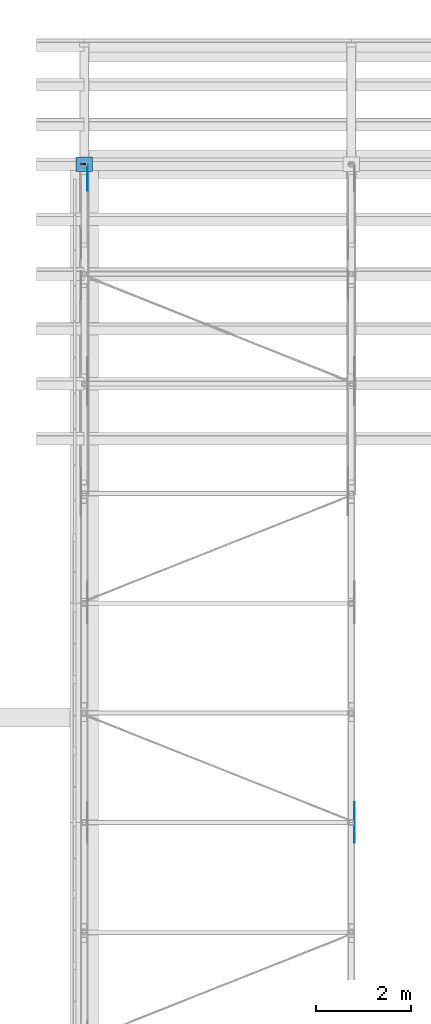
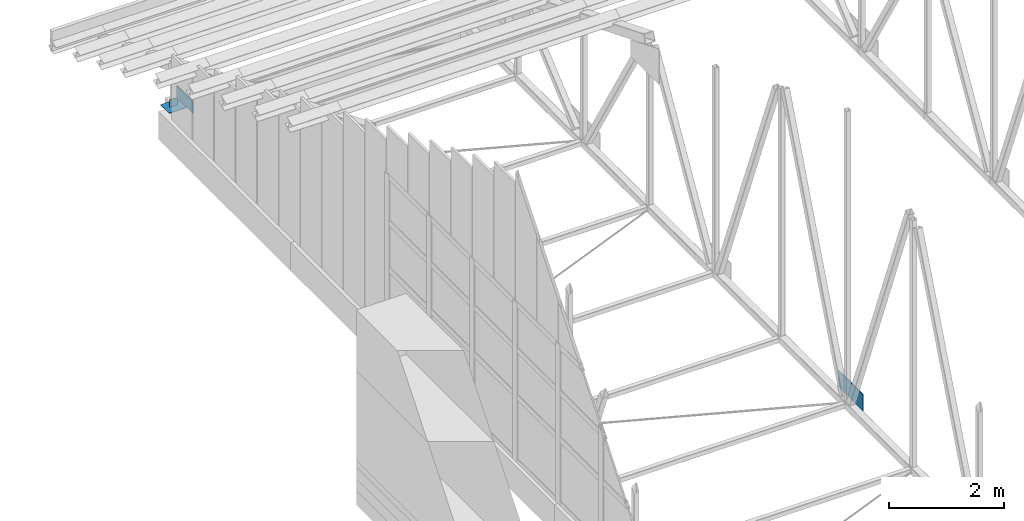
# One storey, part 54 of 71: 4 discrete accessories.
"""IFC4 building model written with IfcOpenShell, lengths in metres."""

import ifcopenshell
import ifcopenshell.guid

model = None  # the IFC model being written
_history = None  # IfcOwnerHistory: only IFC2X3 demands one
_inside = {}  # id of a spatial element -> (the spatial element, [elements in it])
_under = {}  # id of a project, library or spatial element -> (it, [spatial elements below it])
_declared = {}  # id of a project -> (the project, [libraries it declares])
_typed = {}  # id of a type object -> (the type object, [elements of that type])
_made_of = {}  # id of a material, layer set ... -> (it, [elements and type objects made of it])


def new_model(schema):
    """Start an empty IFC model of exactly this schema.

    Asked for "IFC4X3", IfcOpenShell would pick the latest addendum, in which some entities
    have other attributes; the version numbers below select the first issue.
    IFC2X3 requires an IfcOwnerHistory on every rooted entity: one is made here for all.
    """
    global model, _history
    if schema == "IFC4X3":
        model = ifcopenshell.file(schema_version=(4, 3, 0, 0))
    else:
        model = ifcopenshell.file(schema=schema)
    _inside.clear()
    _under.clear()
    _declared.clear()
    _typed.clear()
    _made_of.clear()
    _history = None
    if model.schema == "IFC2X3":
        org = make("IfcOrganization", Name="unknown")
        user = make(
            "IfcPersonAndOrganization",
            ThePerson=make("IfcPerson", FamilyName="unknown"),
            TheOrganization=org,
        )
        app = make(
            "IfcApplication",
            ApplicationDeveloper=org,
            Version="unknown",
            ApplicationFullName="unknown",
            ApplicationIdentifier="unknown",
        )
        _history = make(
            "IfcOwnerHistory",
            OwningUser=user,
            OwningApplication=app,
            ChangeAction="ADDED",
            CreationDate=0,
        )
    return model


def make(cls, **values):
    """One entity of the class cls with the attributes given. An attribute that is None is left unset."""
    return model.create_entity(
        cls, **{name: value for name, value in values.items() if value is not None}
    )


def rooted(cls, **values):
    """An entity with a GlobalId (a new one), such as an element, a storey or a relation."""
    return make(cls, GlobalId=ifcopenshell.guid.new(), OwnerHistory=_history, **values)


def si_unit(unit_type, name, prefix=None):
    """IfcSIUnit, for example si_unit("LENGTHUNIT", "METRE", prefix="MILLI")."""
    return make("IfcSIUnit", UnitType=unit_type, Prefix=prefix, Name=name)


def assignment(units):
    """IfcUnitAssignment: the units of a project."""
    return None if units is None else make("IfcUnitAssignment", Units=units)


def point(xyz):
    """IfcCartesianPoint."""
    return None if xyz is None else make("IfcCartesianPoint", Coordinates=xyz)


def direction(xyz):
    """IfcDirection."""
    return None if xyz is None else make("IfcDirection", DirectionRatios=xyz)


def frame(location, z_axis=None, x_axis=None):
    """IfcAxis2Placement3D, a coordinate frame: its origin and axes. An axis left out is left unset."""
    return make(
        "IfcAxis2Placement3D",
        Location=point(location),
        Axis=direction(z_axis),
        RefDirection=direction(x_axis),
    )


def frame_2d(location, x_axis=None):
    """IfcAxis2Placement2D, a coordinate frame in the plane: its origin and x axis."""
    return make(
        "IfcAxis2Placement2D", Location=point(location), RefDirection=direction(x_axis)
    )


def origin():
    """The frame at (0, 0, 0) with its axes left unset."""
    return frame((0.0, 0.0, 0.0))


def origin_2d():
    """The frame at (0, 0) in the plane with its x axis left unset."""
    return frame_2d((0.0, 0.0))


def place(relative_to, where):
    """IfcLocalPlacement: puts the frame where relative to a parent placement (None: the world)."""
    return make(
        "IfcLocalPlacement", PlacementRelTo=relative_to, RelativePlacement=where
    )


def context(
    kind, dimensions, precision=None, world=None, true_north=None, identifier=None
):
    """IfcGeometricRepresentationContext, for example the 3D "Model" context."""
    return make(
        "IfcGeometricRepresentationContext",
        ContextIdentifier=identifier,
        ContextType=kind,
        CoordinateSpaceDimension=dimensions,
        Precision=precision,
        WorldCoordinateSystem=world,
        TrueNorth=true_north,
    )


def subcontext(parent, identifier, kind, view, scale=None):
    """IfcGeometricRepresentationSubContext, for example "Body" below "Model"."""
    return make(
        "IfcGeometricRepresentationSubContext",
        ContextIdentifier=identifier,
        ContextType=kind,
        ParentContext=parent,
        TargetScale=scale,
        TargetView=view,
    )


def project(units=None, contexts=None):
    """IfcProject with its units and contexts."""
    return rooted(
        "IfcProject",
        Name="project",
        RepresentationContexts=contexts,
        UnitsInContext=assignment(units),
    )


def spatial(cls, under=None, at=None, **own):
    """A site, building, storey or space (cls), placed at a placement, below another one or the project."""
    s = rooted(cls, ObjectPlacement=at, **own)
    if under is not None:
        _under.setdefault(under.id(), (under, []))[1].append(s)
    return s


def polyline(points):
    """IfcPolyline through the points."""
    return make("IfcPolyline", Points=[point(p) for p in points])


def profile(cls, at=None, kind="AREA", **sizes):
    """A parametric profile (cls). Its sizes go by their IFC names, for example OverallWidth=200.0."""
    return make(cls, ProfileType=kind, Position=at, **sizes)


def rectangle(**sizes):
    """IfcRectangleProfileDef."""
    return profile("IfcRectangleProfileDef", **sizes)


def outline(outer, holes=None, kind="AREA"):
    """IfcArbitraryClosedProfileDef: a profile drawn as a closed curve; with holes, ...WithVoids."""
    if holes is None:
        return make("IfcArbitraryClosedProfileDef", ProfileType=kind, OuterCurve=outer)
    return make(
        "IfcArbitraryProfileDefWithVoids",
        ProfileType=kind,
        OuterCurve=outer,
        InnerCurves=holes,
    )


def extrude(swept, where, along, depth):
    """IfcExtrudedAreaSolid: the profile swept, set in the frame where, extruded along a direction by depth."""
    return make(
        "IfcExtrudedAreaSolid",
        SweptArea=swept,
        Position=where,
        ExtrudedDirection=direction(along),
        Depth=depth,
    )


def shape(context_of_items, identifier, shape_type, items):
    """IfcShapeRepresentation: the items that make up one representation, for example the "Body"."""
    return make(
        "IfcShapeRepresentation",
        ContextOfItems=context_of_items,
        RepresentationIdentifier=identifier,
        RepresentationType=shape_type,
        Items=items,
    )


def made_of(thing, what):
    """Note that an element or type object is made of a material, layer set ...; save() writes the relation."""
    if what is not None:
        _made_of.setdefault(what.id(), (what, []))[1].append(thing)
    return thing


def element(
    cls,
    number,
    at=None,
    inside=None,
    cuts=None,
    type_object=None,
    material=None,
    context=None,
    identifier="Body",
    shape_type=None,
    held_by="IfcProductDefinitionShape",
    body=None,
    shapes=None,
    **own,
):
    """One element of the class cls, such as IfcWall. Its Tag is "e" and its number.

    at: its placement. inside: the storey or other place that contains it. cuts: it is an
    opening in that element (IfcRelVoidsElement). A single representation is given by context,
    identifier, shape_type and body (its items); several are given by shapes. held_by: the class
    of the entity that holds the representations. save() writes the other relations.
    """
    e = rooted(cls, Tag="e%d" % number, ObjectPlacement=at, **own)
    if body is not None:
        shapes = [shape(context, identifier, shape_type, body)]
    if shapes is not None:
        e.Representation = make(held_by, Representations=shapes)
    if inside is not None:
        _inside.setdefault(inside.id(), (inside, []))[1].append(e)
    if cuts is not None:
        rooted(
            "IfcRelVoidsElement", RelatingBuildingElement=cuts, RelatedOpeningElement=e
        )
    if type_object is not None:
        _typed.setdefault(type_object.id(), (type_object, []))[1].append(e)
    return made_of(e, material)


def aggregate(whole, parts):
    """IfcRelAggregates: a whole, such as a stair, and the parts it consists of."""
    return rooted("IfcRelAggregates", RelatingObject=whole, RelatedObjects=parts)


def save(model, path):
    """Write the relations noted so far, then the file.

    IfcRelAggregates (storeys below a building ...), IfcRelContainedInSpatialStructure (elements
    in a storey), IfcRelDefinesByType, IfcRelAssociatesMaterial and IfcRelDeclares: one each for
    every whole, place, type object, material and project.
    """
    for whole, parts in _under.values():
        aggregate(whole, parts)
    for where, things in _inside.values():
        rooted(
            "IfcRelContainedInSpatialStructure",
            RelatedElements=things,
            RelatingStructure=where,
        )
    for kind, things in _typed.values():
        rooted("IfcRelDefinesByType", RelatedObjects=things, RelatingType=kind)
    for what, things in _made_of.values():
        rooted("IfcRelAssociatesMaterial", RelatedObjects=things, RelatingMaterial=what)
    for by, libraries in _declared.values():
        rooted("IfcRelDeclares", RelatingContext=by, RelatedDefinitions=libraries)
    model.write(path)


model = new_model("IFC4")

# Units and contexts
model_context = context("Model", 3, precision=1e-05, world=origin(), true_north=direction((0.0, 1.0)))
body_context = subcontext(model_context, "Body", "Model", "MODEL_VIEW")
ifc_project = project(units=[si_unit("LENGTHUNIT", "METRE"), si_unit("AREAUNIT", "SQUARE_METRE"), si_unit("VOLUMEUNIT", "CUBIC_METRE"), si_unit("PLANEANGLEUNIT", "RADIAN"), si_unit("MASSUNIT", "GRAM", prefix="KILO")], contexts=[model_context])

# Site, building, storey
site_placement = place(None, origin())
site = spatial("IfcSite", under=ifc_project, at=site_placement, CompositionType="ELEMENT")
building_placement = place(site_placement, origin())
building = spatial("IfcBuilding", under=site, at=building_placement, Name="Wasatch Bagh Community Centre", CompositionType="ELEMENT")
storey_placement = place(building_placement, frame((0.0, 0.0, 12.60009765625)))
storey = spatial("IfcBuildingStorey", under=building, at=storey_placement, Name="L03", CompositionType="ELEMENT", Elevation=12.60009765625)

# Discrete accessories
discrete_accessory_1_placement = place(storey_placement, frame((112.199951171875, 65.800048828125, 0.68603515625), z_axis=(0.0, 1.0, 0.0), x_axis=(-1.0, 0.0, 0.0)))
element("IfcDiscreteAccessory", 1, at=discrete_accessory_1_placement, inside=storey, Name="SH.SA1.BC12.EPB", PredefinedType="NOTDEFINED", context=body_context, shape_type="SweptSolid", body=[
    extrude(rectangle(XDim=0.15234375, YDim=0.15234375, at=origin_2d()), origin(), (0.0, 0.0, 1.0), 0.011962890625),
])
discrete_accessory_2_placement = place(storey_placement, frame((112.27587890625, 65.241455078125, 0.7626953125), z_axis=(1.0, 0.0, 0.0), x_axis=(0.0, 1.0, 0.0)))
element("IfcDiscreteAccessory", 2, at=discrete_accessory_2_placement, inside=storey, Name="Gusset plate", PredefinedType="BRACKET", context=body_context, shape_type="SweptSolid", body=[
    extrude(outline(polyline([(0.0, 0.0), (0.55859375, 0.0), (0.55859375, 0.264892578125), (0.0, 0.264892578125), (0.0, 0.0)])), origin(), (0.0, 0.0, -1.0), 0.011962890625),
])
discrete_accessory_3_placement = place(storey_placement, frame((117.8759765625, 51.57568359375, 0.7626953125), z_axis=(1.0, 0.0, 0.0), x_axis=(0.0, 1.0, 0.0)))
element("IfcDiscreteAccessory", 3, at=discrete_accessory_3_placement, inside=storey, Name="Gusset plate", PredefinedType="BRACKET", context=body_context, shape_type="SweptSolid", body=[
    extrude(outline(polyline([(0.0, 0.0), (0.8486328125, 0.0), (0.8486328125, 0.35009765625), (0.0, 0.35009765625), (0.0, 0.0)])), origin(), (0.0, 0.0, -1.0), 0.011962890625),
])
discrete_accessory_4_placement = place(storey_placement, frame((112.199951171875, 65.800048828125, 0.60009765625), z_axis=(0.0, 0.0, 1.0), x_axis=(1.0, 0.0, 0.0)))
element("IfcDiscreteAccessory", 4, at=discrete_accessory_4_placement, inside=storey, Name="Bearing plate", PredefinedType="BRACKET", context=body_context, shape_type="SweptSolid", body=[
    extrude(rectangle(XDim=0.35009765625, YDim=0.300048828125, at=origin_2d()), origin(), (0.0, 0.0, 1.0), 0.010009765625),
])

save(model, "model.ifc")
